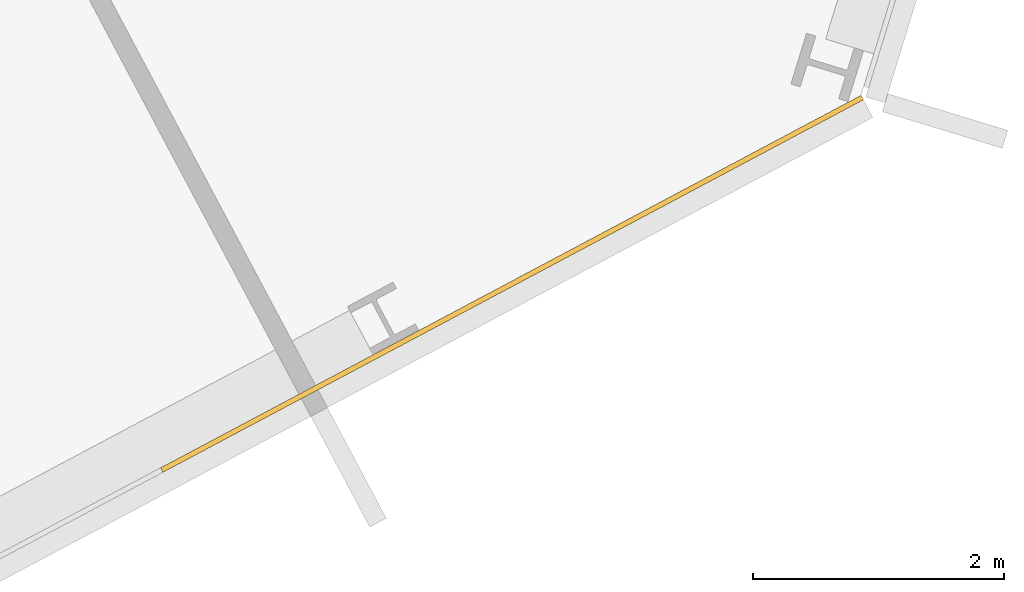
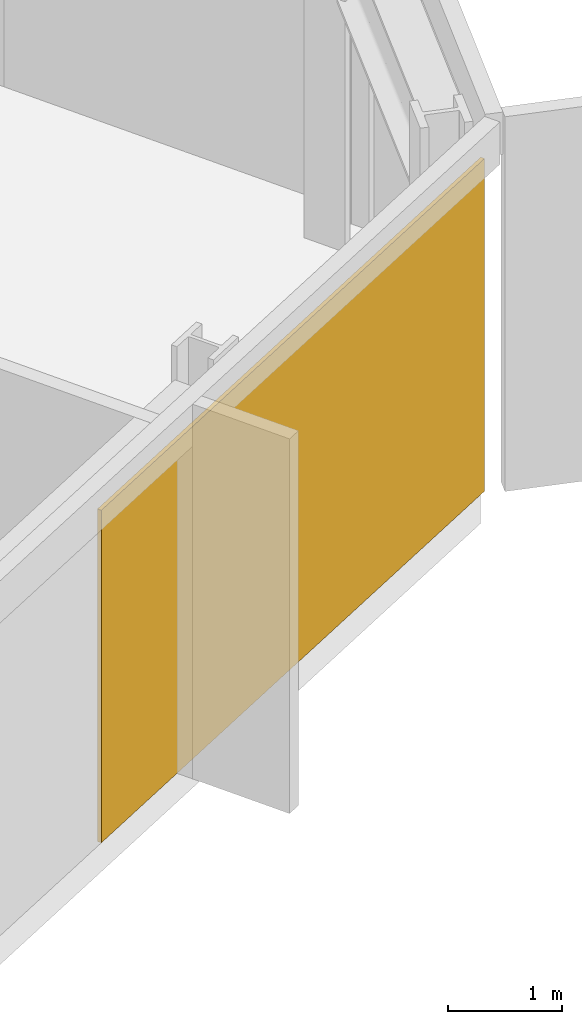
# One storey, part 26 of 28: 1 covering, 1 element without a shape of its own.
"""IFC4 building model written with IfcOpenShell, lengths in metres."""

from ifc_helpers import new_model, si_unit, direction, frame, origin, origin_2d, place, context, subcontext, project, spatial, rectangle, extrude, material, layer, layer_set, type_object, element, aggregate, save


model = new_model("IFC4")

# Units and contexts
model_context = context("Model", 3, precision=1e-05, world=origin(), true_north=direction((0.0, 1.0)))
body_context = subcontext(model_context, "Body", "Model", "MODEL_VIEW")
ifc_project = project(units=[si_unit("LENGTHUNIT", "METRE"), si_unit("AREAUNIT", "SQUARE_METRE"), si_unit("VOLUMEUNIT", "CUBIC_METRE"), si_unit("PLANEANGLEUNIT", "RADIAN"), si_unit("MASSUNIT", "GRAM", prefix="KILO")], contexts=[model_context])

# Site, building, storey
site_placement = place(None, origin())
site = spatial("IfcSite", under=ifc_project, at=site_placement, CompositionType="ELEMENT")
building_placement = place(site_placement, origin())
building = spatial("IfcBuilding", under=site, at=building_placement, Name="Cormorant Relay Tower", CompositionType="ELEMENT")
storey_placement = place(building_placement, frame((0.0, 0.0, 162.199951171875)))
storey = spatial("IfcBuildingStorey", under=building, at=storey_placement, Name="L34", CompositionType="ELEMENT", Elevation=162.199951171875)

# Curtain wall, covering
ifc_material_1 = material(Name="Aluminium 6063-T6 anodised bronze", Category="aluminium")
ifc_layer_1 = layer(ifc_material_1, 0.199951171875)
ifc_layer_set_1 = layer_set([ifc_layer_1], Name="CW1 unitised bronze curtain wall with vertical fins")
curtain_wall_type = type_object("IfcCurtainWallType", Name="CW1 unitised bronze curtain wall with vertical fins", PredefinedType="NOTDEFINED", material=ifc_layer_set_1)
curtain_wall_placement = place(storey_placement, origin())
curtain_wall = element("IfcCurtainWall", 1, at=curtain_wall_placement, inside=storey, type_object=curtain_wall_type, Name="CW1 curtain wall 4", PredefinedType="NOTDEFINED")
ifc_material_2 = material(Name="Pale bronze anodised aluminium insulated panel", Category="aluminium")
ifc_layer_2 = layer(ifc_material_2, 0.0400390625)
ifc_layer_set_2 = layer_set([ifc_layer_2], Name="CW1 pale bronze insulated panel 40")
covering_type = type_object("IfcCoveringType", Name="CW1 pale bronze insulated panel 40", PredefinedType="CLADDING", material=ifc_layer_set_2)
covering_placement = place(storey_placement, frame((52.93310546875, 6.603515625, 0.0), z_axis=(0.0, 0.0, 1.0), x_axis=(0.882947592859, 0.469471562786, 0.0)))
covering = element("IfcCovering", 2, at=covering_placement, type_object=covering_type, Name="CW1 panel S05", PredefinedType="CLADDING", context=body_context, shape_type="SweptSolid", body=[
    extrude(rectangle(XDim=6.324951171875, YDim=0.0400390625, at=origin_2d()), origin(), (0.0, 0.0, 1.0), 3.550048828125),
])
aggregate(curtain_wall, [covering])

save(model, "model.ifc")
